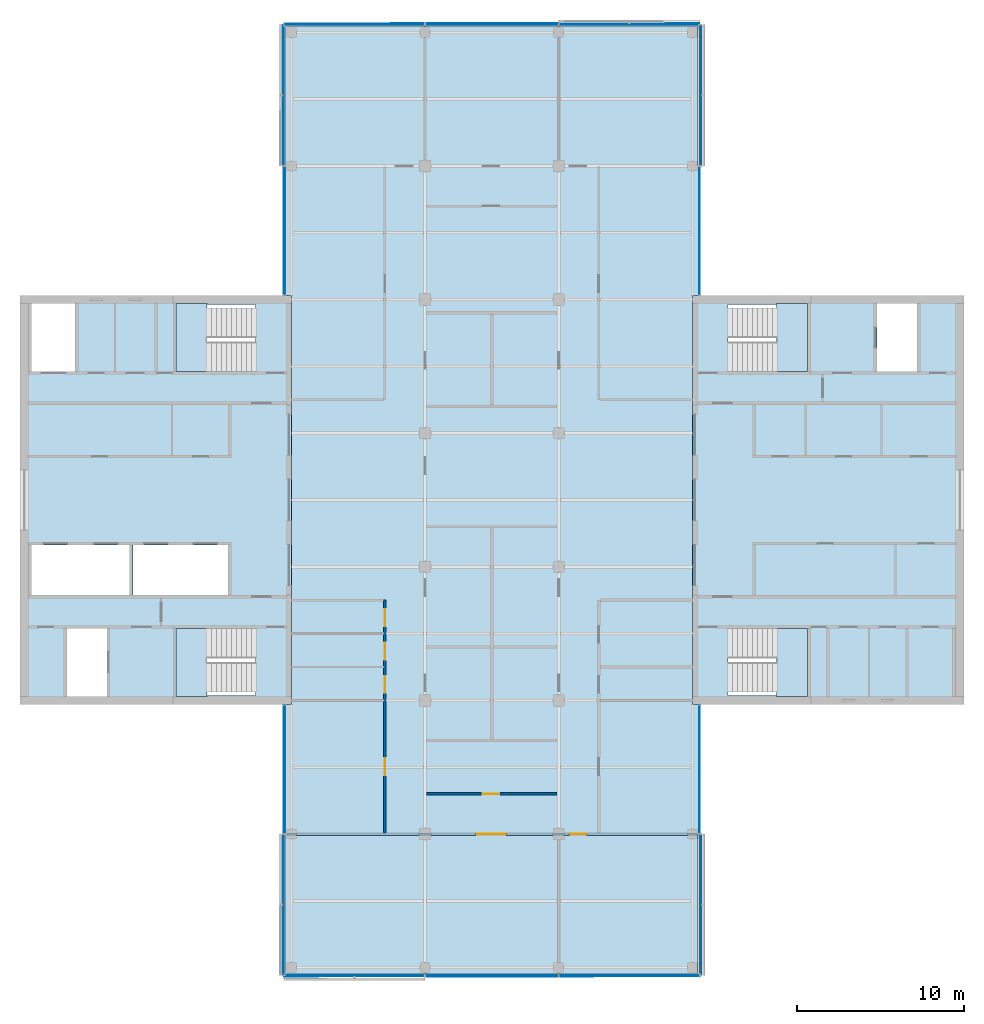
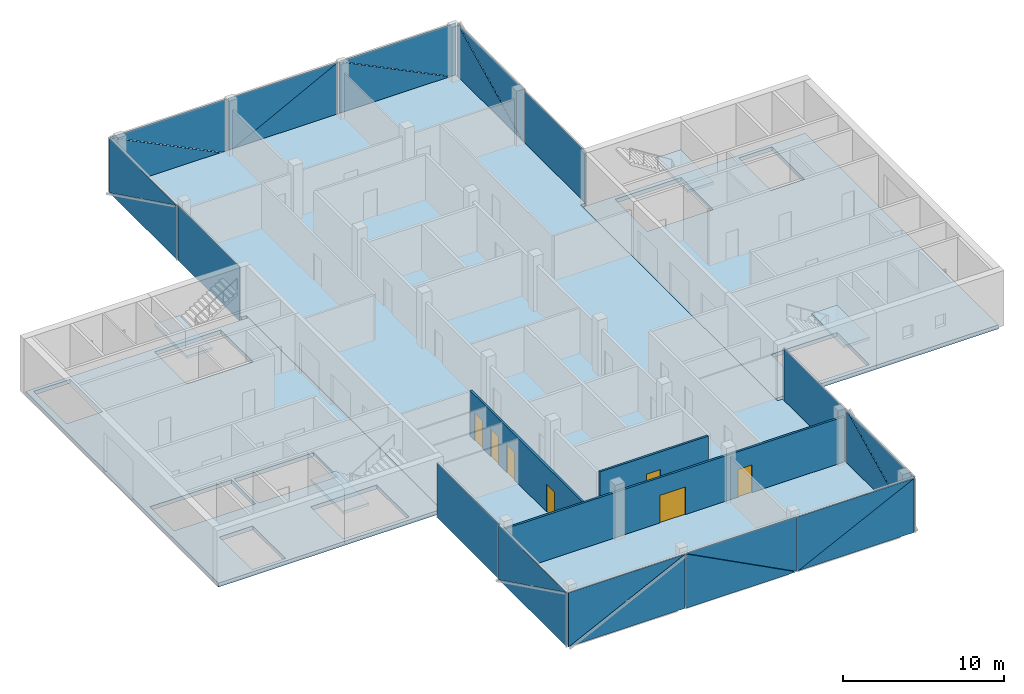
# One storey, part 8 of 16: 24 plates, 7 doors, 7 slabs, 3 walls, 7 openings, 14 elements without a shape of their own.
"""IFC4 building model written with IfcOpenShell, lengths in metres."""

from ifc_helpers import new_model, si_unit, direction, frame, frame_2d, origin, place, context, subcontext, project, spatial, polyline, rectangle, outline, extrude, material, layer, layer_set, type_object, element, fill, aggregate, save


model = new_model("IFC4")

# Units and contexts
model_context = context("Model", 3, precision=1e-05, world=origin(), true_north=direction((0.0, 1.0)))
body_context = subcontext(model_context, "Body", "Model", "MODEL_VIEW")
ifc_project = project(units=[si_unit("LENGTHUNIT", "METRE"), si_unit("AREAUNIT", "SQUARE_METRE"), si_unit("VOLUMEUNIT", "CUBIC_METRE"), si_unit("PLANEANGLEUNIT", "RADIAN"), si_unit("MASSUNIT", "GRAM", prefix="KILO")], contexts=[model_context])

# Site, building, storey
site_placement = place(None, origin())
site = spatial("IfcSite", under=ifc_project, at=site_placement, CompositionType="ELEMENT")
building_placement = place(site_placement, origin())
building = spatial("IfcBuilding", under=site, at=building_placement, Name="Crosswind Convention Tower", CompositionType="ELEMENT")
storey_placement = place(building_placement, frame((0.0, 0.0, 291.300048828125)))
storey = spatial("IfcBuildingStorey", under=building, at=storey_placement, Name="L63", CompositionType="ELEMENT", Elevation=291.300048828125)

# Slabs
ifc_material_1 = material(Name="Concrete C40/50", Category="concrete")
ifc_layer_1 = layer(ifc_material_1, 0.300048828125)
ifc_layer_set_1 = layer_set([ifc_layer_1], Name="Concrete C40/50")
slab_type_1 = type_object("IfcSlabType", Name="Composite floor slab 300", PredefinedType="FLOOR", material=ifc_layer_set_1)
slab_1_placement = place(storey_placement, frame((0.0, 0.0, -0.300048828125)))
element("IfcSlab", 1, at=slab_1_placement, inside=storey, type_object=slab_type_1, Name="Floor slab L63", PredefinedType="FLOOR", context=body_context, shape_type="SweptSolid", body=[
    extrude(outline(polyline([(137.35009765625, 71.64990234375), (137.0, 71.64990234375), (113.0, 71.64990234375), (112.64990234375, 71.64990234375), (112.64990234375, 72.0), (112.64990234375, 87.75), (113.0, 87.75), (113.0, 112.25), (112.64990234375, 112.25), (112.64990234375, 128.0), (112.64990234375, 128.35009765625), (113.0, 128.35009765625), (137.0, 128.35009765625), (137.35009765625, 128.35009765625), (137.35009765625, 128.0), (137.35009765625, 112.25), (137.0, 112.25), (137.0, 87.75), (137.35009765625, 87.75), (137.35009765625, 72.0), (137.35009765625, 71.64990234375)])), origin(), (0.0, 0.0, 1.0), 0.300048828125),
])
ifc_layer_2 = layer(ifc_material_1, 0.300048828125)
ifc_layer_set_2 = layer_set([ifc_layer_2], Name="Concrete C40/50")
slab_type_2 = type_object("IfcSlabType", Name="Concrete core floor slab 300", PredefinedType="FLOOR", material=ifc_layer_set_2)
slab_2_placement = place(storey_placement, frame((0.0, 0.0, -0.300048828125)))
element("IfcSlab", 2, at=slab_2_placement, inside=storey, type_object=slab_type_2, Name="Core floor slab E L63", PredefinedType="FLOOR", context=body_context, shape_type="SweptSolid", body=[
    extrude(outline(polyline([(137.0, 88.0), (153.0, 88.0), (153.0, 112.0), (137.0, 112.0), (137.0, 88.0)]), holes=[polyline([(150.449951171875, 107.699951171875), (150.449951171875, 111.75), (148.050048828125, 111.75), (148.050048828125, 107.699951171875), (150.449951171875, 107.699951171875)]), polyline([(143.89990234375, 107.699951171875), (143.89990234375, 111.699951171875), (139.14990234375, 111.699951171875), (139.14990234375, 107.699951171875), (143.89990234375, 107.699951171875)]), polyline([(143.89990234375, 88.300048828125), (143.89990234375, 92.300048828125), (139.14990234375, 92.300048828125), (139.14990234375, 88.300048828125), (143.89990234375, 88.300048828125)])]), origin(), (0.0, 0.0, 1.0), 0.300048828125),
])
slab_3_placement = place(storey_placement, frame((0.0, 0.0, -0.300048828125)))
element("IfcSlab", 3, at=slab_3_placement, inside=storey, type_object=slab_type_2, Name="Core floor slab W L63", PredefinedType="FLOOR", context=body_context, shape_type="SweptSolid", body=[
    extrude(outline(polyline([(97.0, 88.0), (113.0, 88.0), (113.0, 112.0), (97.0, 112.0), (97.0, 88.0)]), holes=[polyline([(109.199951171875, 94.300048828125), (109.199951171875, 97.300048828125), (103.5, 97.300048828125), (103.5, 94.300048828125), (109.199951171875, 94.300048828125)]), polyline([(103.300048828125, 94.300048828125), (103.300048828125, 97.300048828125), (97.449951171875, 97.300048828125), (97.449951171875, 94.300048828125), (103.300048828125, 94.300048828125)]), polyline([(101.949951171875, 88.25), (101.949951171875, 92.300048828125), (99.550048828125, 92.300048828125), (99.550048828125, 88.25), (101.949951171875, 88.25)]), polyline([(100.050048828125, 107.699951171875), (100.050048828125, 111.75), (97.449951171875, 111.75), (97.449951171875, 107.699951171875), (100.050048828125, 107.699951171875)]), polyline([(110.85009765625, 88.300048828125), (110.85009765625, 92.300048828125), (106.10009765625, 92.300048828125), (106.10009765625, 88.300048828125), (110.85009765625, 88.300048828125)]), polyline([(110.85009765625, 107.699951171875), (110.85009765625, 111.699951171875), (106.10009765625, 111.699951171875), (106.10009765625, 107.699951171875), (110.85009765625, 107.699951171875)])]), origin(), (0.0, 0.0, 1.0), 0.300048828125),
])

# Stair, slab
stair_type = type_object("IfcStairType", Name="Exit stair 1800 wide, 2 flights of 11 risers", PredefinedType="HALF_TURN_STAIR", material=ifc_material_1)
stair_1_placement = place(storey_placement, origin())
stair_1 = element("IfcStair", 4, at=stair_1_placement, inside=storey, type_object=stair_type, Name="Exit stair ST1 L63", ObjectType="ST5", PredefinedType="HALF_TURN_STAIR")
ifc_layer_3 = layer(ifc_material_1, 0.199951171875)
ifc_layer_set_3 = layer_set([ifc_layer_3], Name="Concrete C40/50")
slab_type_3 = type_object("IfcSlabType", Name="Stair landing 200", PredefinedType="LANDING", material=ifc_layer_set_3)
slab_4_placement = place(storey_placement, frame((0.0, 0.0, 1.89990234375)))
slab_4 = element("IfcSlab", 5, at=slab_4_placement, type_object=slab_type_3, Name="ST1 landing 1", PredefinedType="LANDING", context=body_context, shape_type="SweptSolid", body=[
    extrude(outline(polyline([(143.89990234375, 107.699951171875), (143.89990234375, 111.75), (142.050048828125, 111.75), (142.050048828125, 107.699951171875), (143.89990234375, 107.699951171875)])), origin(), (0.0, 0.0, 1.0), 0.199951171875),
])
aggregate(stair_1, [slab_4])

stair_2_placement = place(storey_placement, origin())
stair_2 = element("IfcStair", 6, at=stair_2_placement, inside=storey, type_object=stair_type, Name="Exit stair ST2 L63", ObjectType="ST5", PredefinedType="HALF_TURN_STAIR")
slab_5_placement = place(storey_placement, frame((0.0, 0.0, 1.89990234375)))
slab_5 = element("IfcSlab", 7, at=slab_5_placement, type_object=slab_type_3, Name="ST2 landing 1", PredefinedType="LANDING", context=body_context, shape_type="SweptSolid", body=[
    extrude(outline(polyline([(143.89990234375, 88.25), (143.89990234375, 92.300048828125), (142.050048828125, 92.300048828125), (142.050048828125, 88.25), (143.89990234375, 88.25)])), origin(), (0.0, 0.0, 1.0), 0.199951171875),
])
aggregate(stair_2, [slab_5])

stair_3_placement = place(storey_placement, origin())
stair_3 = element("IfcStair", 8, at=stair_3_placement, inside=storey, type_object=stair_type, Name="Exit stair ST3 L63", ObjectType="ST5", PredefinedType="HALF_TURN_STAIR")
slab_6_placement = place(storey_placement, frame((0.0, 0.0, 1.89990234375)))
slab_6 = element("IfcSlab", 9, at=slab_6_placement, type_object=slab_type_3, Name="ST3 landing 1", PredefinedType="LANDING", context=body_context, shape_type="SweptSolid", body=[
    extrude(outline(polyline([(107.949951171875, 88.25), (107.949951171875, 92.300048828125), (106.10009765625, 92.300048828125), (106.10009765625, 88.25), (107.949951171875, 88.25)])), origin(), (0.0, 0.0, 1.0), 0.199951171875),
])
aggregate(stair_3, [slab_6])

stair_4_placement = place(storey_placement, origin())
stair_4 = element("IfcStair", 10, at=stair_4_placement, inside=storey, type_object=stair_type, Name="Exit stair ST4 L63", ObjectType="ST5", PredefinedType="HALF_TURN_STAIR")
slab_7_placement = place(storey_placement, frame((0.0, 0.0, 1.89990234375)))
slab_7 = element("IfcSlab", 11, at=slab_7_placement, type_object=slab_type_3, Name="ST4 landing 1", PredefinedType="LANDING", context=body_context, shape_type="SweptSolid", body=[
    extrude(outline(polyline([(107.949951171875, 107.699951171875), (107.949951171875, 111.75), (106.10009765625, 111.75), (106.10009765625, 107.699951171875), (107.949951171875, 107.699951171875)])), origin(), (0.0, 0.0, 1.0), 0.199951171875),
])
aggregate(stair_4, [slab_7])

# Curtain wall, plate
ifc_material_2 = material(Name="Aluminium unitised curtain wall", Category="aluminium")
curtain_wall_type_1 = type_object("IfcCurtainWallType", Name="CORE END SLOT WALL 160", PredefinedType="USERDEFINED", material=ifc_material_2)
curtain_wall_1_placement = place(storey_placement, origin())
curtain_wall_1 = element("IfcCurtainWall", 12, at=curtain_wall_1_placement, inside=storey, type_object=curtain_wall_type_1, Name="CW6 L63 N-E.1-1 slot", ObjectType="UNITISED", PredefinedType="USERDEFINED")
ifc_material_3 = material(Name="Laminated insulating glass unit", Category="glass")
ifc_layer_4 = layer(ifc_material_3, 0.02587890625)
ifc_layer_set_4 = layer_set([ifc_layer_4], Name="TRIANGULAR GLASS PANEL 26")
plate_type_1 = type_object("IfcPlateType", Name="TRIANGULAR GLASS PANEL 26", PredefinedType="CURTAIN_PANEL", material=ifc_layer_set_4)
plate_1_placement = place(storey_placement, frame((137.456787109375, 112.300048828125, -0.300048828125), z_axis=(0.999999915205, 0.0, 0.00041181312), x_axis=(0.0, 1.0, 0.0)))
plate_1 = element("IfcPlate", 13, at=plate_1_placement, type_object=plate_type_1, Name="CW6 panel 1.1", PredefinedType="CURTAIN_PANEL", context=body_context, shape_type="SweptSolid", body=[
    extrude(outline(polyline([(0.0, 0.0), (7.64990234375, 0.0), (7.64990234375, 4.149902695641108), (0.0, 4.149902695641108), (0.0, 0.0)])), origin(), (0.0, 0.0, -1.0), 0.02587890625),
])
aggregate(curtain_wall_1, [plate_1])

curtain_wall_2_placement = place(storey_placement, origin())
curtain_wall_2 = element("IfcCurtainWall", 14, at=curtain_wall_2_placement, inside=storey, type_object=curtain_wall_type_1, Name="CW6 L63 N-W.1-2 slot", ObjectType="UNITISED", PredefinedType="USERDEFINED")
plate_2_placement = place(storey_placement, frame((112.543212890625, 119.949951171875, -0.300048828125), z_axis=(-0.999999915205, 0.0, 0.00041181312), x_axis=(0.0, -1.0, 0.0)))
plate_2 = element("IfcPlate", 15, at=plate_2_placement, type_object=plate_type_1, Name="CW6 panel 1.1", PredefinedType="CURTAIN_PANEL", context=body_context, shape_type="SweptSolid", body=[
    extrude(outline(polyline([(0.0, 0.0), (7.64990234375, 0.0), (7.64990234375, 4.149902695641108), (0.0, 4.149902695641108), (0.0, 0.0)])), origin(), (0.0, 0.0, -1.0), 0.02587890625),
])
aggregate(curtain_wall_2, [plate_2])

curtain_wall_3_placement = place(storey_placement, origin())
curtain_wall_3 = element("IfcCurtainWall", 16, at=curtain_wall_3_placement, inside=storey, type_object=curtain_wall_type_1, Name="CW6 L63 S-W.1-1 slot", ObjectType="UNITISED", PredefinedType="USERDEFINED")
plate_3_placement = place(storey_placement, frame((112.543212890625, 87.699951171875, -0.300048828125), z_axis=(-0.999999915205, 0.0, 0.00041181312), x_axis=(0.0, -1.0, 0.0)))
plate_3 = element("IfcPlate", 17, at=plate_3_placement, type_object=plate_type_1, Name="CW6 panel 1.1", PredefinedType="CURTAIN_PANEL", context=body_context, shape_type="SweptSolid", body=[
    extrude(outline(polyline([(0.0, 0.0), (7.64990234375, 0.0), (7.64990234375, 4.149902695641108), (0.0, 4.149902695641108), (0.0, 0.0)])), origin(), (0.0, 0.0, -1.0), 0.02587890625),
])
aggregate(curtain_wall_3, [plate_3])

curtain_wall_4_placement = place(storey_placement, origin())
curtain_wall_4 = element("IfcCurtainWall", 18, at=curtain_wall_4_placement, inside=storey, type_object=curtain_wall_type_1, Name="CW6 L63 S-E.1-2 slot", ObjectType="UNITISED", PredefinedType="USERDEFINED")
plate_4_placement = place(storey_placement, frame((137.456787109375, 80.050048828125, -0.300048828125), z_axis=(0.999999915205, 0.0, 0.00041181312), x_axis=(0.0, 1.0, 0.0)))
plate_4 = element("IfcPlate", 19, at=plate_4_placement, type_object=plate_type_1, Name="CW6 panel 1.1", PredefinedType="CURTAIN_PANEL", context=body_context, shape_type="SweptSolid", body=[
    extrude(outline(polyline([(0.0, 0.0), (7.64990234375, 0.0), (7.64990234375, 4.149902695641108), (0.0, 4.149902695641108), (0.0, 0.0)])), origin(), (0.0, 0.0, -1.0), 0.02587890625),
])
aggregate(curtain_wall_4, [plate_4])

# Curtain wall, plates
curtain_wall_type_2 = type_object("IfcCurtainWallType", Name="OFFICE UNITISED WALL 220", PredefinedType="USERDEFINED", material=ifc_material_2)
curtain_wall_5_placement = place(storey_placement, origin())
curtain_wall_5 = element("IfcCurtainWall", 20, at=curtain_wall_5_placement, inside=storey, type_object=curtain_wall_type_2, Name="CW3 L63 N-E 1", ObjectType="UNITISED", PredefinedType="USERDEFINED")
ifc_layer_5 = layer(ifc_material_3, 0.031982421875)
ifc_layer_set_5 = layer_set([ifc_layer_5], Name="TRIANGULAR GLASS PANEL 32")
plate_type_2 = type_object("IfcPlateType", Name="TRIANGULAR GLASS PANEL 32", PredefinedType="CURTAIN_PANEL", material=ifc_layer_set_5)
plate_5_placement = place(storey_placement, frame((137.492919921875, 128.425048828125, -0.300048828125), z_axis=(0.999999913924, 0.0, 0.000414913129), x_axis=(-0.000414913129, 0.0, 0.999999913924)))
plate_5 = element("IfcPlate", 21, at=plate_5_placement, type_object=plate_type_2, Name="CW3 panel 1.1", PredefinedType="CURTAIN_PANEL", context=body_context, shape_type="SweptSolid", body=[
    extrude(outline(polyline([(0.0, 0.0), (4.118896838915043, 0.0), (0.0, 8.367431640625), (0.0, 0.0)])), origin(), (0.0, 0.0, -1.0), 0.031982421875),
])
plate_6_placement = place(storey_placement, frame((137.525146484375, 120.034912109375, 3.829833984375), z_axis=(0.999999913913, 0.0, 0.000414937724), x_axis=(0.000414937724, 0.0, -0.999999913913)))
plate_6 = element("IfcPlate", 22, at=plate_6_placement, type_object=plate_type_2, Name="CW3 panel 1.2", PredefinedType="CURTAIN_PANEL", context=body_context, shape_type="SweptSolid", body=[
    extrude(outline(polyline([(0.0, 0.0), (4.118652698311059, 0.0), (0.0, 8.367431640625), (0.0, 0.0)])), origin(), (0.0, 0.0, -1.0), 0.031982421875),
])
aggregate(curtain_wall_5, [plate_5, plate_6])

curtain_wall_6_placement = place(storey_placement, origin())
curtain_wall_6 = element("IfcCurtainWall", 23, at=curtain_wall_6_placement, inside=storey, type_object=curtain_wall_type_2, Name="CW3 L63 N-TIP 1", ObjectType="UNITISED", PredefinedType="USERDEFINED")
plate_7_placement = place(storey_placement, frame((129.034912109375, 128.492919921875, -0.300048828125), z_axis=(0.0, 0.999999913924, 0.000414913129), x_axis=(0.0, -0.000414913129, 0.999999913924)))
plate_7 = element("IfcPlate", 24, at=plate_7_placement, type_object=plate_type_2, Name="CW3 panel 1.1", PredefinedType="CURTAIN_PANEL", context=body_context, shape_type="SweptSolid", body=[
    extrude(outline(polyline([(0.0, 0.0), (4.118896838915043, 0.0), (0.0, 8.367431640625), (0.0, 0.0)])), origin(), (0.0, 0.0, -1.0), 0.031982421875),
])
plate_8_placement = place(storey_placement, frame((137.425048828125, 128.525146484375, 3.829833984375), z_axis=(0.0, 0.999999913913, 0.000414937724), x_axis=(0.0, 0.000414937724, -0.999999913913)))
plate_8 = element("IfcPlate", 25, at=plate_8_placement, type_object=plate_type_2, Name="CW3 panel 1.2", PredefinedType="CURTAIN_PANEL", context=body_context, shape_type="SweptSolid", body=[
    extrude(outline(polyline([(0.0, 0.0), (4.118652698311059, 0.0), (0.0, 8.367431640625), (0.0, 0.0)])), origin(), (0.0, 0.0, -1.0), 0.031982421875),
])
plate_9_placement = place(storey_placement, frame((121.034912109375, 128.4912109375, 3.829833984375), z_axis=(0.0, 0.999999913913, 0.000414937724), x_axis=(1.0, 0.0, 0.0)))
plate_9 = element("IfcPlate", 26, at=plate_9_placement, type_object=plate_type_2, Name="CW3 panel 2.1", PredefinedType="CURTAIN_PANEL", context=body_context, shape_type="SweptSolid", body=[
    extrude(outline(polyline([(0.0, 0.0), (7.908447265625, 0.0), (0.0, 4.118652698311059), (0.0, 0.0)])), origin(), (0.0, 0.0, -1.0), 0.031982421875),
])
plate_10_placement = place(storey_placement, frame((128.965087890625, 128.52685546875, -0.300048828125), z_axis=(0.0, 0.999999913913, 0.000414937724), x_axis=(-1.0, 0.0, 0.0)))
plate_10 = element("IfcPlate", 27, at=plate_10_placement, type_object=plate_type_2, Name="CW3 panel 2.2", PredefinedType="CURTAIN_PANEL", context=body_context, shape_type="SweptSolid", body=[
    extrude(outline(polyline([(0.0, 0.0), (7.908447265625, 0.0), (0.0, 4.118652698311059), (0.0, 0.0)])), origin(), (0.0, 0.0, -1.0), 0.031982421875),
])
plate_11_placement = place(storey_placement, frame((112.574951171875, 128.492919921875, -0.300048828125), z_axis=(0.0, 0.999999913924, 0.000414913129), x_axis=(0.0, -0.000414913129, 0.999999913924)))
plate_11 = element("IfcPlate", 28, at=plate_11_placement, type_object=plate_type_2, Name="CW3 panel 3.1", PredefinedType="CURTAIN_PANEL", context=body_context, shape_type="SweptSolid", body=[
    extrude(outline(polyline([(0.0, 0.0), (4.118896838915043, 0.0), (0.0, 8.367431640625), (0.0, 0.0)])), origin(), (0.0, 0.0, -1.0), 0.031982421875),
])
plate_12_placement = place(storey_placement, frame((120.965087890625, 128.525146484375, 3.829833984375), z_axis=(0.0, 0.999999913913, 0.000414937724), x_axis=(0.0, 0.000414937724, -0.999999913913)))
plate_12 = element("IfcPlate", 29, at=plate_12_placement, type_object=plate_type_2, Name="CW3 panel 3.2", PredefinedType="CURTAIN_PANEL", context=body_context, shape_type="SweptSolid", body=[
    extrude(outline(polyline([(0.0, 0.0), (4.118652698311059, 0.0), (0.0, 8.367431640625), (0.0, 0.0)])), origin(), (0.0, 0.0, -1.0), 0.031982421875),
])
aggregate(curtain_wall_6, [plate_7, plate_8, plate_9, plate_10, plate_11, plate_12])

curtain_wall_7_placement = place(storey_placement, origin())
curtain_wall_7 = element("IfcCurtainWall", 30, at=curtain_wall_7_placement, inside=storey, type_object=curtain_wall_type_2, Name="CW3 L63 N-W 1", ObjectType="UNITISED", PredefinedType="USERDEFINED")
plate_13_placement = place(storey_placement, frame((112.507080078125, 120.034912109375, -0.300048828125), z_axis=(-0.999999913924, 0.0, 0.000414913129), x_axis=(0.000414913129, 0.0, 0.999999913924)))
plate_13 = element("IfcPlate", 31, at=plate_13_placement, type_object=plate_type_2, Name="CW3 panel 1.1", PredefinedType="CURTAIN_PANEL", context=body_context, shape_type="SweptSolid", body=[
    extrude(outline(polyline([(0.0, 0.0), (4.118896838915043, 0.0), (0.0, 8.367431640625), (0.0, 0.0)])), origin(), (0.0, 0.0, -1.0), 0.031982421875),
])
plate_14_placement = place(storey_placement, frame((112.474853515625, 128.425048828125, 3.829833984375), z_axis=(-0.999999913913, 0.0, 0.000414937724), x_axis=(-0.000414937724, 0.0, -0.999999913913)))
plate_14 = element("IfcPlate", 32, at=plate_14_placement, type_object=plate_type_2, Name="CW3 panel 1.2", PredefinedType="CURTAIN_PANEL", context=body_context, shape_type="SweptSolid", body=[
    extrude(outline(polyline([(0.0, 0.0), (4.118652698311059, 0.0), (0.0, 8.367431640625), (0.0, 0.0)])), origin(), (0.0, 0.0, -1.0), 0.031982421875),
])
aggregate(curtain_wall_7, [plate_13, plate_14])

curtain_wall_8_placement = place(storey_placement, origin())
curtain_wall_8 = element("IfcCurtainWall", 33, at=curtain_wall_8_placement, inside=storey, type_object=curtain_wall_type_2, Name="CW3 L63 S-W 1", ObjectType="UNITISED", PredefinedType="USERDEFINED")
plate_15_placement = place(storey_placement, frame((112.507080078125, 71.574951171875, -0.300048828125), z_axis=(-0.999999913924, 0.0, 0.000414913129), x_axis=(0.000414913129, 0.0, 0.999999913924)))
plate_15 = element("IfcPlate", 34, at=plate_15_placement, type_object=plate_type_2, Name="CW3 panel 1.1", PredefinedType="CURTAIN_PANEL", context=body_context, shape_type="SweptSolid", body=[
    extrude(outline(polyline([(0.0, 0.0), (4.118896838915043, 0.0), (0.0, 8.367431640625), (0.0, 0.0)])), origin(), (0.0, 0.0, -1.0), 0.031982421875),
])
plate_16_placement = place(storey_placement, frame((112.474853515625, 79.965087890625, 3.829833984375), z_axis=(-0.999999913913, 0.0, 0.000414937724), x_axis=(-0.000414937724, 0.0, -0.999999913913)))
plate_16 = element("IfcPlate", 35, at=plate_16_placement, type_object=plate_type_2, Name="CW3 panel 1.2", PredefinedType="CURTAIN_PANEL", context=body_context, shape_type="SweptSolid", body=[
    extrude(outline(polyline([(0.0, 0.0), (4.118652698311059, 0.0), (0.0, 8.367431640625), (0.0, 0.0)])), origin(), (0.0, 0.0, -1.0), 0.031982421875),
])
aggregate(curtain_wall_8, [plate_15, plate_16])

curtain_wall_9_placement = place(storey_placement, origin())
curtain_wall_9 = element("IfcCurtainWall", 36, at=curtain_wall_9_placement, inside=storey, type_object=curtain_wall_type_2, Name="CW3 L63 S-TIP 1", ObjectType="UNITISED", PredefinedType="USERDEFINED")
plate_17_placement = place(storey_placement, frame((120.965087890625, 71.507080078125, -0.300048828125), z_axis=(0.0, -0.999999913924, 0.000414913129), x_axis=(0.0, 0.000414913129, 0.999999913924)))
plate_17 = element("IfcPlate", 37, at=plate_17_placement, type_object=plate_type_2, Name="CW3 panel 1.1", PredefinedType="CURTAIN_PANEL", context=body_context, shape_type="SweptSolid", body=[
    extrude(outline(polyline([(0.0, 0.0), (4.118896838915043, 0.0), (0.0, 8.367431640625), (0.0, 0.0)])), origin(), (0.0, 0.0, -1.0), 0.031982421875),
])
plate_18_placement = place(storey_placement, frame((112.574951171875, 71.474853515625, 3.829833984375), z_axis=(0.0, -0.999999913913, 0.000414937724), x_axis=(0.0, -0.000414937724, -0.999999913913)))
plate_18 = element("IfcPlate", 38, at=plate_18_placement, type_object=plate_type_2, Name="CW3 panel 1.2", PredefinedType="CURTAIN_PANEL", context=body_context, shape_type="SweptSolid", body=[
    extrude(outline(polyline([(0.0, 0.0), (4.118652698311059, 0.0), (0.0, 8.367431640625), (0.0, 0.0)])), origin(), (0.0, 0.0, -1.0), 0.031982421875),
])
plate_19_placement = place(storey_placement, frame((128.965087890625, 71.5087890625, 3.829833984375), z_axis=(0.0, -0.999999913913, 0.000414937724), x_axis=(-1.0, 0.0, 0.0)))
plate_19 = element("IfcPlate", 39, at=plate_19_placement, type_object=plate_type_2, Name="CW3 panel 2.1", PredefinedType="CURTAIN_PANEL", context=body_context, shape_type="SweptSolid", body=[
    extrude(outline(polyline([(0.0, 0.0), (7.908447265625, 0.0), (0.0, 4.118652698311059), (0.0, 0.0)])), origin(), (0.0, 0.0, -1.0), 0.031982421875),
])
plate_20_placement = place(storey_placement, frame((121.034912109375, 71.47314453125, -0.300048828125), z_axis=(0.0, -0.999999913913, 0.000414937724), x_axis=(1.0, 0.0, 0.0)))
plate_20 = element("IfcPlate", 40, at=plate_20_placement, type_object=plate_type_2, Name="CW3 panel 2.2", PredefinedType="CURTAIN_PANEL", context=body_context, shape_type="SweptSolid", body=[
    extrude(outline(polyline([(0.0, 0.0), (7.908447265625, 0.0), (0.0, 4.118652698311059), (0.0, 0.0)])), origin(), (0.0, 0.0, -1.0), 0.031982421875),
])
plate_21_placement = place(storey_placement, frame((137.425048828125, 71.507080078125, -0.300048828125), z_axis=(0.0, -0.999999913924, 0.000414913129), x_axis=(0.0, 0.000414913129, 0.999999913924)))
plate_21 = element("IfcPlate", 41, at=plate_21_placement, type_object=plate_type_2, Name="CW3 panel 3.1", PredefinedType="CURTAIN_PANEL", context=body_context, shape_type="SweptSolid", body=[
    extrude(outline(polyline([(0.0, 0.0), (4.118896838915043, 0.0), (0.0, 8.367431640625), (0.0, 0.0)])), origin(), (0.0, 0.0, -1.0), 0.031982421875),
])
plate_22_placement = place(storey_placement, frame((129.034912109375, 71.474853515625, 3.829833984375), z_axis=(0.0, -0.999999913913, 0.000414937724), x_axis=(0.0, -0.000414937724, -0.999999913913)))
plate_22 = element("IfcPlate", 42, at=plate_22_placement, type_object=plate_type_2, Name="CW3 panel 3.2", PredefinedType="CURTAIN_PANEL", context=body_context, shape_type="SweptSolid", body=[
    extrude(outline(polyline([(0.0, 0.0), (4.118652698311059, 0.0), (0.0, 8.367431640625), (0.0, 0.0)])), origin(), (0.0, 0.0, -1.0), 0.031982421875),
])
aggregate(curtain_wall_9, [plate_17, plate_18, plate_19, plate_20, plate_21, plate_22])

curtain_wall_10_placement = place(storey_placement, origin())
curtain_wall_10 = element("IfcCurtainWall", 43, at=curtain_wall_10_placement, inside=storey, type_object=curtain_wall_type_2, Name="CW3 L63 S-E 1", ObjectType="UNITISED", PredefinedType="USERDEFINED")
plate_23_placement = place(storey_placement, frame((137.492919921875, 79.965087890625, -0.300048828125), z_axis=(0.999999913924, 0.0, 0.000414913129), x_axis=(-0.000414913129, 0.0, 0.999999913924)))
plate_23 = element("IfcPlate", 44, at=plate_23_placement, type_object=plate_type_2, Name="CW3 panel 1.1", PredefinedType="CURTAIN_PANEL", context=body_context, shape_type="SweptSolid", body=[
    extrude(outline(polyline([(0.0, 0.0), (4.118896838915043, 0.0), (0.0, 8.367431640625), (0.0, 0.0)])), origin(), (0.0, 0.0, -1.0), 0.031982421875),
])
plate_24_placement = place(storey_placement, frame((137.525146484375, 71.574951171875, 3.829833984375), z_axis=(0.999999913913, 0.0, 0.000414937724), x_axis=(0.000414937724, 0.0, -0.999999913913)))
plate_24 = element("IfcPlate", 45, at=plate_24_placement, type_object=plate_type_2, Name="CW3 panel 1.2", PredefinedType="CURTAIN_PANEL", context=body_context, shape_type="SweptSolid", body=[
    extrude(outline(polyline([(0.0, 0.0), (4.118652698311059, 0.0), (0.0, 8.367431640625), (0.0, 0.0)])), origin(), (0.0, 0.0, -1.0), 0.031982421875),
])
aggregate(curtain_wall_10, [plate_23, plate_24])

# Wall, openings, doors
ifc_material_4 = material(Name="Fire-board partition with mineral wool", Category="gypsum")
ifc_layer_6 = layer(ifc_material_4, 0.14990234375)
ifc_layer_set_6 = layer_set([ifc_layer_6], Name="TENANCY WALL 150 TWO-HOUR BOARD")
wall_type = type_object("IfcWallType", Name="TENANCY WALL 150 TWO-HOUR BOARD", PredefinedType="PARTITIONING", material=ifc_layer_set_6)
wall_1_placement = place(storey_placement, frame((118.60009765625, 80.074951171875, 0.0), z_axis=(0.0, 0.0, 1.0), x_axis=(0.0, 1.0, 0.0)))
wall_1 = element("IfcWall", 46, at=wall_1_placement, inside=storey, type_object=wall_type, Name="Tenancy wall WT41", PredefinedType="PARTITIONING", context=body_context, shape_type="SweptSolid", body=[
    extrude(rectangle(XDim=13.925048828125, YDim=0.14990234375, at=frame_2d((6.96240234375, 0.0))), origin(), (0.0, 0.0, 1.0), 3.44287109375),
])
opening_1_placement = place(wall_1_placement, frame((12.375, 0.0, 0.0)))
opening_1 = element("IfcOpeningElement", 47, at=opening_1_placement, cuts=wall_1, Name="Opening L63-55", PredefinedType="OPENING", context=body_context, shape_type="SweptSolid", body=[
    extrude(rectangle(XDim=1.0, YDim=2.10009765625, at=frame_2d((0.5, 1.050048828125))), frame((0.0, 0.0849609375, 0.0), z_axis=(0.0, -1.0, 0.0), x_axis=(1.0, 0.0, 0.0)), (0.0, 0.0, 1.0), 0.169921875),
])
opening_2_placement = place(wall_1_placement, frame((10.375, 0.0, 0.0)))
opening_2 = element("IfcOpeningElement", 48, at=opening_2_placement, cuts=wall_1, Name="Opening L63-56", PredefinedType="OPENING", context=body_context, shape_type="SweptSolid", body=[
    extrude(rectangle(XDim=1.0, YDim=2.10009765625, at=frame_2d((0.5, 1.050048828125))), frame((0.0, 0.0849609375, 0.0), z_axis=(0.0, -1.0, 0.0), x_axis=(1.0, 0.0, 0.0)), (0.0, 0.0, 1.0), 0.169921875),
])
opening_3_placement = place(wall_1_placement, frame((8.375, 0.0, 0.0)))
opening_3 = element("IfcOpeningElement", 49, at=opening_3_placement, cuts=wall_1, Name="Opening L63-57", PredefinedType="OPENING", context=body_context, shape_type="SweptSolid", body=[
    extrude(rectangle(XDim=1.0, YDim=2.10009765625, at=frame_2d((0.5, 1.050048828125))), frame((0.0, 0.0849609375, 0.0), z_axis=(0.0, -1.0, 0.0), x_axis=(1.0, 0.0, 0.0)), (0.0, 0.0, 1.0), 0.169921875),
])
opening_4_placement = place(wall_1_placement, frame((3.449951171875, 0.0, 0.0)))
opening_4 = element("IfcOpeningElement", 50, at=opening_4_placement, cuts=wall_1, Name="Opening L63-58", PredefinedType="OPENING", context=body_context, shape_type="SweptSolid", body=[
    extrude(rectangle(XDim=1.0, YDim=2.10009765625, at=frame_2d((0.5, 1.050048828125))), frame((0.0, 0.0849609375, 0.0), z_axis=(0.0, -1.0, 0.0), x_axis=(1.0, 0.0, 0.0)), (0.0, 0.0, 1.0), 0.169921875),
])
ifc_material_5 = material(Name="Timber fire door", Category="wood")
door_type_1 = type_object("IfcDoorType", Name="TENANCY ENTRANCE DOOR 1000X2100 FD30S", OperationType="NOTDEFINED", PredefinedType="DOOR", material=ifc_material_5)
door_1_placement = place(opening_1_placement, origin())
door_1 = element("IfcDoor", 51, at=door_1_placement, inside=storey, type_object=door_type_1, Name="Door L63-55", ObjectType="D41", OperationType="SINGLE_SWING_LEFT", OverallHeight=2.10009765625, OverallWidth=1.0, PredefinedType="DOOR", context=body_context, shape_type="SweptSolid", body=[
    extrude(rectangle(XDim=1.0, YDim=2.10009765625, at=frame_2d((0.5, 1.050048828125))), frame((0.0, 0.02490234375, 0.0), z_axis=(0.0, -1.0, 0.0), x_axis=(1.0, 0.0, 0.0)), (0.0, 0.0, 1.0), 0.050048828125),
])
fill(opening_1, door_1)
door_2_placement = place(opening_2_placement, origin())
door_2 = element("IfcDoor", 52, at=door_2_placement, inside=storey, type_object=door_type_1, Name="Door L63-56", ObjectType="D41", OperationType="SINGLE_SWING_LEFT", OverallHeight=2.10009765625, OverallWidth=1.0, PredefinedType="DOOR", context=body_context, shape_type="SweptSolid", body=[
    extrude(rectangle(XDim=1.0, YDim=2.10009765625, at=frame_2d((0.5, 1.050048828125))), frame((0.0, 0.02490234375, 0.0), z_axis=(0.0, -1.0, 0.0), x_axis=(1.0, 0.0, 0.0)), (0.0, 0.0, 1.0), 0.050048828125),
])
fill(opening_2, door_2)
door_3_placement = place(opening_3_placement, origin())
door_3 = element("IfcDoor", 53, at=door_3_placement, inside=storey, type_object=door_type_1, Name="Door L63-57", ObjectType="D41", OperationType="SINGLE_SWING_LEFT", OverallHeight=2.10009765625, OverallWidth=1.0, PredefinedType="DOOR", context=body_context, shape_type="SweptSolid", body=[
    extrude(rectangle(XDim=1.0, YDim=2.10009765625, at=frame_2d((0.5, 1.050048828125))), frame((0.0, 0.02490234375, 0.0), z_axis=(0.0, -1.0, 0.0), x_axis=(1.0, 0.0, 0.0)), (0.0, 0.0, 1.0), 0.050048828125),
])
fill(opening_3, door_3)
door_4_placement = place(opening_4_placement, origin())
door_4 = element("IfcDoor", 54, at=door_4_placement, inside=storey, type_object=door_type_1, Name="Door L63-58", ObjectType="D41", OperationType="SINGLE_SWING_RIGHT", OverallHeight=2.10009765625, OverallWidth=1.0, PredefinedType="DOOR", context=body_context, shape_type="SweptSolid", body=[
    extrude(rectangle(XDim=1.0, YDim=2.10009765625, at=frame_2d((0.5, 1.050048828125))), frame((0.0, 0.02490234375, 0.0), z_axis=(0.0, -1.0, 0.0), x_axis=(1.0, 0.0, 0.0)), (0.0, 0.0, 1.0), 0.050048828125),
])
fill(opening_4, door_4)

wall_2_placement = place(storey_placement, frame((112.72998046875, 80.0, 0.0), z_axis=(0.0, 0.0, 1.0), x_axis=(1.0, 0.0, 0.0)))
wall_2 = element("IfcWall", 55, at=wall_2_placement, inside=storey, type_object=wall_type, Name="Tenancy wall WT41", PredefinedType="PARTITIONING", context=body_context, shape_type="SweptSolid", body=[
    extrude(rectangle(XDim=24.5400390625, YDim=0.14990234375, at=frame_2d((12.27001953125, 0.0))), origin(), (0.0, 0.0, 1.0), 3.44287109375),
])
opening_5_placement = place(wall_2_placement, frame((11.320068359375, 0.0, 0.0)))
opening_5 = element("IfcOpeningElement", 56, at=opening_5_placement, cuts=wall_2, Name="Opening L63-62", PredefinedType="OPENING", context=body_context, shape_type="SweptSolid", body=[
    extrude(rectangle(XDim=1.800048828125, YDim=2.10009765625, at=frame_2d((0.89990234375, 1.050048828125))), frame((0.0, 0.0849609375, 0.0), z_axis=(0.0, -1.0, 0.0), x_axis=(1.0, 0.0, 0.0)), (0.0, 0.0, 1.0), 0.169921875),
])
opening_6_placement = place(wall_2_placement, frame((16.919921875, 0.0, 0.0)))
opening_6 = element("IfcOpeningElement", 57, at=opening_6_placement, cuts=wall_2, Name="Opening L63-63", PredefinedType="OPENING", context=body_context, shape_type="SweptSolid", body=[
    extrude(rectangle(XDim=1.0, YDim=2.10009765625, at=frame_2d((0.5, 1.050048828125))), frame((0.0, 0.0849609375, 0.0), z_axis=(0.0, -1.0, 0.0), x_axis=(1.0, 0.0, 0.0)), (0.0, 0.0, 1.0), 0.169921875),
])
door_5_placement = place(opening_6_placement, frame((1.0, 0.0, 0.0), z_axis=(0.0, 0.0, 1.0), x_axis=(-1.0, 0.0, 0.0)))
door_5 = element("IfcDoor", 58, at=door_5_placement, inside=storey, type_object=door_type_1, Name="Door L63-63", ObjectType="D41", OperationType="SINGLE_SWING_RIGHT", OverallHeight=2.10009765625, OverallWidth=1.0, PredefinedType="DOOR", context=body_context, shape_type="SweptSolid", body=[
    extrude(rectangle(XDim=1.0, YDim=2.10009765625, at=frame_2d((0.5, 1.050048828125))), frame((0.0, 0.02490234375, 0.0), z_axis=(0.0, -1.0, 0.0), x_axis=(1.0, 0.0, 0.0)), (0.0, 0.0, 1.0), 0.050048828125),
])
fill(opening_6, door_5)
door_type_2 = type_object("IfcDoorType", Name="TENANCY ENTRANCE DOUBLE DOOR 1800X2100 FD30S", OperationType="DOUBLE_DOOR_SINGLE_SWING", PredefinedType="DOOR", material=ifc_material_5)
door_6_placement = place(opening_5_placement, frame((1.800048828125, 0.0, 0.0), z_axis=(0.0, 0.0, 1.0), x_axis=(-1.0, 0.0, 0.0)))
door_6 = element("IfcDoor", 59, at=door_6_placement, inside=storey, type_object=door_type_2, Name="Door L63-62", ObjectType="D42", OperationType="DOUBLE_DOOR_SINGLE_SWING", OverallHeight=2.10009765625, OverallWidth=1.800048828125, PredefinedType="DOOR", context=body_context, shape_type="SweptSolid", body=[
    extrude(rectangle(XDim=1.800048828125, YDim=2.10009765625, at=frame_2d((0.89990234375, 1.050048828125))), frame((0.0, 0.02490234375, 0.0), z_axis=(0.0, -1.0, 0.0), x_axis=(1.0, 0.0, 0.0)), (0.0, 0.0, 1.0), 0.050048828125),
])
fill(opening_5, door_6)

# Wall, opening, door
wall_3_placement = place(storey_placement, frame((121.10009765625, 82.39990234375, 0.0), z_axis=(0.0, 0.0, 1.0), x_axis=(1.0, 0.0, 0.0)))
wall_3 = element("IfcWall", 60, at=wall_3_placement, inside=storey, type_object=wall_type, Name="Tenancy wall WT41", PredefinedType="PARTITIONING", context=body_context, shape_type="SweptSolid", body=[
    extrude(rectangle(XDim=7.7998046875, YDim=0.14990234375, at=frame_2d((3.89990234375, 0.0))), origin(), (0.0, 0.0, 1.0), 3.44287109375),
])
opening_7_placement = place(wall_3_placement, frame((3.35009765625, 0.0, 0.0)))
opening_7 = element("IfcOpeningElement", 61, at=opening_7_placement, cuts=wall_3, Name="Opening L63-64", PredefinedType="OPENING", context=body_context, shape_type="SweptSolid", body=[
    extrude(rectangle(XDim=1.0, YDim=2.10009765625, at=frame_2d((0.5, 1.050048828125))), frame((0.0, 0.0849609375, 0.0), z_axis=(0.0, -1.0, 0.0), x_axis=(1.0, 0.0, 0.0)), (0.0, 0.0, 1.0), 0.169921875),
])
door_7_placement = place(opening_7_placement, origin())
door_7 = element("IfcDoor", 62, at=door_7_placement, inside=storey, type_object=door_type_1, Name="Door L63-64", ObjectType="D41", OperationType="SINGLE_SWING_LEFT", OverallHeight=2.10009765625, OverallWidth=1.0, PredefinedType="DOOR", context=body_context, shape_type="SweptSolid", body=[
    extrude(rectangle(XDim=1.0, YDim=2.10009765625, at=frame_2d((0.5, 1.050048828125))), frame((0.0, 0.02490234375, 0.0), z_axis=(0.0, -1.0, 0.0), x_axis=(1.0, 0.0, 0.0)), (0.0, 0.0, 1.0), 0.050048828125),
])
fill(opening_7, door_7)

save(model, "model.ifc")
